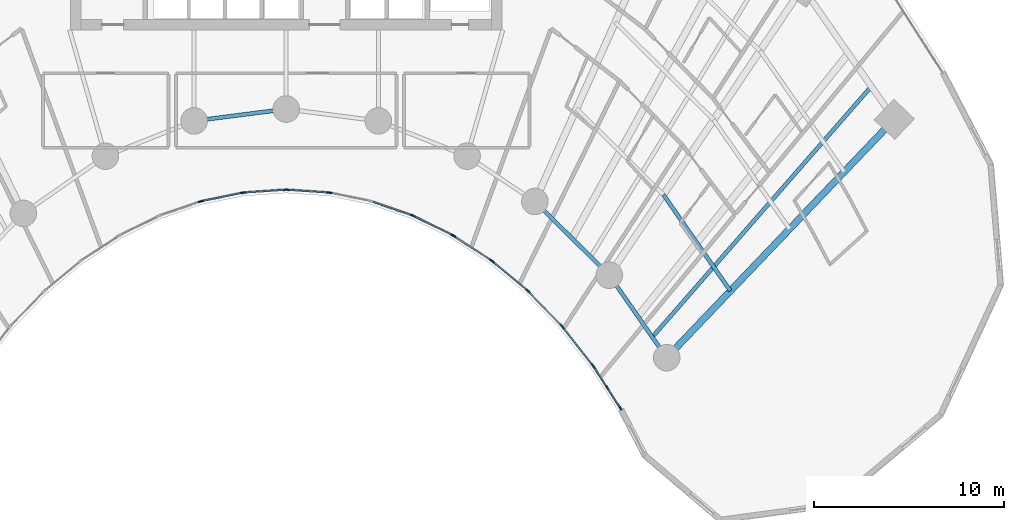
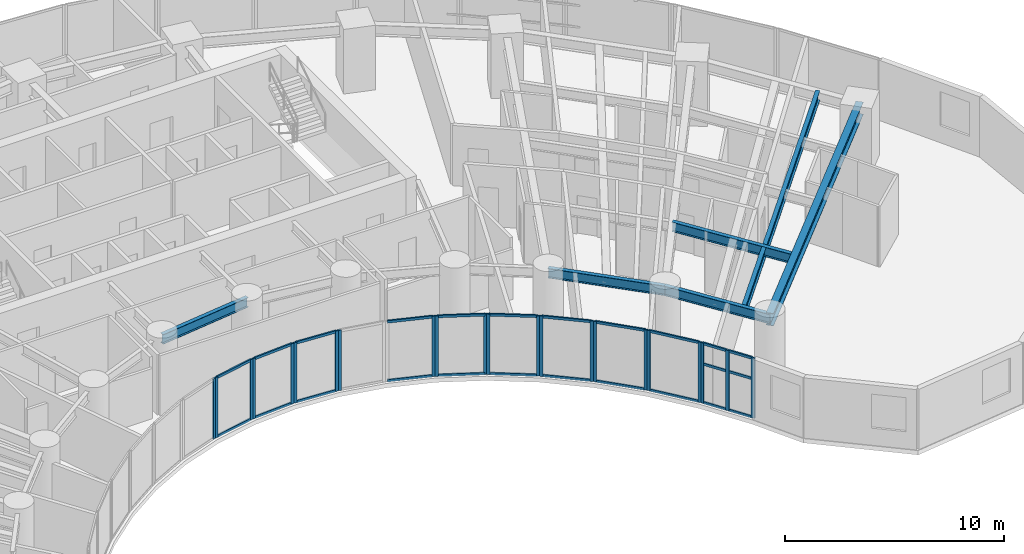
# One storey, part 4 of 18: 46 members, 6 beams, 12 elements without a shape of their own.
"""IFC4 building model written with IfcOpenShell, lengths in metres."""

import ifcopenshell
import ifcopenshell.guid

model = None  # the IFC model being written
_history = None  # IfcOwnerHistory: only IFC2X3 demands one
_inside = {}  # id of a spatial element -> (the spatial element, [elements in it])
_under = {}  # id of a project, library or spatial element -> (it, [spatial elements below it])
_declared = {}  # id of a project -> (the project, [libraries it declares])
_typed = {}  # id of a type object -> (the type object, [elements of that type])
_made_of = {}  # id of a material, layer set ... -> (it, [elements and type objects made of it])


def new_model(schema):
    """Start an empty IFC model of exactly this schema.

    Asked for "IFC4X3", IfcOpenShell would pick the latest addendum, in which some entities
    have other attributes; the version numbers below select the first issue.
    IFC2X3 requires an IfcOwnerHistory on every rooted entity: one is made here for all.
    """
    global model, _history
    if schema == "IFC4X3":
        model = ifcopenshell.file(schema_version=(4, 3, 0, 0))
    else:
        model = ifcopenshell.file(schema=schema)
    _inside.clear()
    _under.clear()
    _declared.clear()
    _typed.clear()
    _made_of.clear()
    _history = None
    if model.schema == "IFC2X3":
        org = make("IfcOrganization", Name="unknown")
        user = make(
            "IfcPersonAndOrganization",
            ThePerson=make("IfcPerson", FamilyName="unknown"),
            TheOrganization=org,
        )
        app = make(
            "IfcApplication",
            ApplicationDeveloper=org,
            Version="unknown",
            ApplicationFullName="unknown",
            ApplicationIdentifier="unknown",
        )
        _history = make(
            "IfcOwnerHistory",
            OwningUser=user,
            OwningApplication=app,
            ChangeAction="ADDED",
            CreationDate=0,
        )
    return model


def make(cls, **values):
    """One entity of the class cls with the attributes given. An attribute that is None is left unset."""
    return model.create_entity(
        cls, **{name: value for name, value in values.items() if value is not None}
    )


def rooted(cls, **values):
    """An entity with a GlobalId (a new one), such as an element, a storey or a relation."""
    return make(cls, GlobalId=ifcopenshell.guid.new(), OwnerHistory=_history, **values)


def si_unit(unit_type, name, prefix=None):
    """IfcSIUnit, for example si_unit("LENGTHUNIT", "METRE", prefix="MILLI")."""
    return make("IfcSIUnit", UnitType=unit_type, Prefix=prefix, Name=name)


def assignment(units):
    """IfcUnitAssignment: the units of a project."""
    return None if units is None else make("IfcUnitAssignment", Units=units)


def point(xyz):
    """IfcCartesianPoint."""
    return None if xyz is None else make("IfcCartesianPoint", Coordinates=xyz)


def direction(xyz):
    """IfcDirection."""
    return None if xyz is None else make("IfcDirection", DirectionRatios=xyz)


def frame(location, z_axis=None, x_axis=None):
    """IfcAxis2Placement3D, a coordinate frame: its origin and axes. An axis left out is left unset."""
    return make(
        "IfcAxis2Placement3D",
        Location=point(location),
        Axis=direction(z_axis),
        RefDirection=direction(x_axis),
    )


def frame_2d(location, x_axis=None):
    """IfcAxis2Placement2D, a coordinate frame in the plane: its origin and x axis."""
    return make(
        "IfcAxis2Placement2D", Location=point(location), RefDirection=direction(x_axis)
    )


def origin():
    """The frame at (0, 0, 0) with its axes left unset."""
    return frame((0.0, 0.0, 0.0))


def origin_2d():
    """The frame at (0, 0) in the plane with its x axis left unset."""
    return frame_2d((0.0, 0.0))


def place(relative_to, where):
    """IfcLocalPlacement: puts the frame where relative to a parent placement (None: the world)."""
    return make(
        "IfcLocalPlacement", PlacementRelTo=relative_to, RelativePlacement=where
    )


def context(
    kind, dimensions, precision=None, world=None, true_north=None, identifier=None
):
    """IfcGeometricRepresentationContext, for example the 3D "Model" context."""
    return make(
        "IfcGeometricRepresentationContext",
        ContextIdentifier=identifier,
        ContextType=kind,
        CoordinateSpaceDimension=dimensions,
        Precision=precision,
        WorldCoordinateSystem=world,
        TrueNorth=true_north,
    )


def subcontext(parent, identifier, kind, view, scale=None):
    """IfcGeometricRepresentationSubContext, for example "Body" below "Model"."""
    return make(
        "IfcGeometricRepresentationSubContext",
        ContextIdentifier=identifier,
        ContextType=kind,
        ParentContext=parent,
        TargetScale=scale,
        TargetView=view,
    )


def project(units=None, contexts=None):
    """IfcProject with its units and contexts."""
    return rooted(
        "IfcProject",
        Name="project",
        RepresentationContexts=contexts,
        UnitsInContext=assignment(units),
    )


def spatial(cls, under=None, at=None, **own):
    """A site, building, storey or space (cls), placed at a placement, below another one or the project."""
    s = rooted(cls, ObjectPlacement=at, **own)
    if under is not None:
        _under.setdefault(under.id(), (under, []))[1].append(s)
    return s


def profile(cls, at=None, kind="AREA", **sizes):
    """A parametric profile (cls). Its sizes go by their IFC names, for example OverallWidth=200.0."""
    return make(cls, ProfileType=kind, Position=at, **sizes)


def rectangle(**sizes):
    """IfcRectangleProfileDef."""
    return profile("IfcRectangleProfileDef", **sizes)


def i_section(**sizes):
    """IfcIShapeProfileDef."""
    return profile("IfcIShapeProfileDef", **sizes)


def extrude(swept, where, along, depth):
    """IfcExtrudedAreaSolid: the profile swept, set in the frame where, extruded along a direction by depth."""
    return make(
        "IfcExtrudedAreaSolid",
        SweptArea=swept,
        Position=where,
        ExtrudedDirection=direction(along),
        Depth=depth,
    )


def shape(context_of_items, identifier, shape_type, items):
    """IfcShapeRepresentation: the items that make up one representation, for example the "Body"."""
    return make(
        "IfcShapeRepresentation",
        ContextOfItems=context_of_items,
        RepresentationIdentifier=identifier,
        RepresentationType=shape_type,
        Items=items,
    )


def source(mapping_origin, context_of_items, identifier, shape_type, items):
    """IfcRepresentationMap: a shape defined once, which mapped items show again and again."""
    return make(
        "IfcRepresentationMap",
        MappingOrigin=mapping_origin,
        MappedRepresentation=shape(context_of_items, identifier, shape_type, items),
    )


def transform(
    local_origin,
    x_axis=None,
    y_axis=None,
    z_axis=None,
    scale=None,
    scale2=None,
    scale3=None,
    uniform=True,
):
    """IfcCartesianTransformationOperator3D, or its non-uniform kind. x_axis, y_axis, z_axis: its Axis1, 2, 3."""
    if uniform:
        return make(
            "IfcCartesianTransformationOperator3D",
            Axis1=direction(x_axis),
            Axis2=direction(y_axis),
            LocalOrigin=point(local_origin),
            Scale=scale,
            Axis3=direction(z_axis),
        )
    return make(
        "IfcCartesianTransformationOperator3DnonUniform",
        Axis1=direction(x_axis),
        Axis2=direction(y_axis),
        LocalOrigin=point(local_origin),
        Scale=scale,
        Axis3=direction(z_axis),
        Scale2=scale2,
        Scale3=scale3,
    )


def mapped(mapping_source, mapping_target):
    """IfcMappedItem: shows the shape of a source again, moved by a transform."""
    return make(
        "IfcMappedItem", MappingSource=mapping_source, MappingTarget=mapping_target
    )


def material(Name=None, Category=None):
    """IfcMaterial."""
    return make("IfcMaterial", Name=Name, Category=Category)


def layer(
    of_material, thickness, ventilated=None, Name=None, Category=None, Priority=None
):
    """IfcMaterialLayer: one layer of a wall or slab, of a material (None: an air gap)."""
    return make(
        "IfcMaterialLayer",
        Material=of_material,
        LayerThickness=thickness,
        IsVentilated=ventilated,
        Name=Name,
        Category=Category,
        Priority=Priority,
    )


def layer_set(layers, Name=None):
    """IfcMaterialLayerSet."""
    return make("IfcMaterialLayerSet", MaterialLayers=layers, LayerSetName=Name)


def material_profile(
    of_material, cross_section, Name=None, Category=None, Priority=None
):
    """IfcMaterialProfile: a cross section and its material."""
    return make(
        "IfcMaterialProfile",
        Name=Name,
        Material=of_material,
        Profile=cross_section,
        Priority=Priority,
        Category=Category,
    )


def profile_set(profiles, Name=None, composite=None):
    """IfcMaterialProfileSet."""
    return make(
        "IfcMaterialProfileSet",
        Name=Name,
        MaterialProfiles=profiles,
        CompositeProfile=composite,
    )


def made_of(thing, what):
    """Note that an element or type object is made of a material, layer set ...; save() writes the relation."""
    if what is not None:
        _made_of.setdefault(what.id(), (what, []))[1].append(thing)
    return thing


def type_object(cls, material=None, **own):
    """A type object (cls), such as IfcWallType, which elements share."""
    return made_of(rooted(cls, **own), material)


def type_shapes(of_type, sources):
    """Give a type object the sources (RepresentationMaps) that its elements show as mapped items."""
    of_type.RepresentationMaps = sources


def element(
    cls,
    number,
    at=None,
    inside=None,
    cuts=None,
    type_object=None,
    material=None,
    context=None,
    identifier="Body",
    shape_type=None,
    held_by="IfcProductDefinitionShape",
    body=None,
    shapes=None,
    **own,
):
    """One element of the class cls, such as IfcWall. Its Tag is "e" and its number.

    at: its placement. inside: the storey or other place that contains it. cuts: it is an
    opening in that element (IfcRelVoidsElement). A single representation is given by context,
    identifier, shape_type and body (its items); several are given by shapes. held_by: the class
    of the entity that holds the representations. save() writes the other relations.
    """
    e = rooted(cls, Tag="e%d" % number, ObjectPlacement=at, **own)
    if body is not None:
        shapes = [shape(context, identifier, shape_type, body)]
    if shapes is not None:
        e.Representation = make(held_by, Representations=shapes)
    if inside is not None:
        _inside.setdefault(inside.id(), (inside, []))[1].append(e)
    if cuts is not None:
        rooted(
            "IfcRelVoidsElement", RelatingBuildingElement=cuts, RelatedOpeningElement=e
        )
    if type_object is not None:
        _typed.setdefault(type_object.id(), (type_object, []))[1].append(e)
    return made_of(e, material)


def aggregate(whole, parts):
    """IfcRelAggregates: a whole, such as a stair, and the parts it consists of."""
    return rooted("IfcRelAggregates", RelatingObject=whole, RelatedObjects=parts)


def save(model, path):
    """Write the relations noted so far, then the file.

    IfcRelAggregates (storeys below a building ...), IfcRelContainedInSpatialStructure (elements
    in a storey), IfcRelDefinesByType, IfcRelAssociatesMaterial and IfcRelDeclares: one each for
    every whole, place, type object, material and project.
    """
    for whole, parts in _under.values():
        aggregate(whole, parts)
    for where, things in _inside.values():
        rooted(
            "IfcRelContainedInSpatialStructure",
            RelatedElements=things,
            RelatingStructure=where,
        )
    for kind, things in _typed.values():
        rooted("IfcRelDefinesByType", RelatedObjects=things, RelatingType=kind)
    for what, things in _made_of.values():
        rooted("IfcRelAssociatesMaterial", RelatedObjects=things, RelatingMaterial=what)
    for by, libraries in _declared.values():
        rooted("IfcRelDeclares", RelatingContext=by, RelatedDefinitions=libraries)
    model.write(path)


model = new_model("IFC4")

# Units and contexts
model_context = context("Model", 3, precision=1e-05, world=origin(), true_north=direction((0.0, 1.0)))
body_context = subcontext(model_context, "Body", "Model", "MODEL_VIEW")
ifc_project = project(units=[si_unit("LENGTHUNIT", "METRE"), si_unit("AREAUNIT", "SQUARE_METRE"), si_unit("VOLUMEUNIT", "CUBIC_METRE"), si_unit("PLANEANGLEUNIT", "RADIAN"), si_unit("MASSUNIT", "GRAM", prefix="KILO")], contexts=[model_context])

# Site, building, storey
site_placement = place(None, origin())
site = spatial("IfcSite", under=ifc_project, at=site_placement, CompositionType="ELEMENT")
building_placement = place(site_placement, origin())
building = spatial("IfcBuilding", under=site, at=building_placement, Name="Breltana Convention Tower", CompositionType="ELEMENT")
storey_placement = place(building_placement, frame((0.0, 0.0, 42.60009765625)))
storey = spatial("IfcBuildingStorey", under=building, at=storey_placement, Name="L08", CompositionType="ELEMENT", Elevation=42.60009765625)

# Beams
ifc_material_1 = material(Name="Steel ASTM A992 Grade 50", Category="steel")
ifc_material_profile_1 = material_profile(ifc_material_1, i_section(OverallWidth=0.35498046875, OverallDepth=0.696044921875, WebThickness=0.015380859375, FlangeThickness=0.02490234375, at=origin_2d()), Name="W27X146")
ifc_profile_set_1 = profile_set([ifc_material_profile_1], Name="Steel ASTM A992 Grade 50")
beam_type_1 = type_object("IfcBeamType", Name="BM-RG-W27X146", PredefinedType="USERDEFINED", material=ifc_profile_set_1)
shared_shape_1 = source(origin(), body_context, "Body", "SweptSolid", [
    extrude(i_section(OverallWidth=0.35498046875, OverallDepth=0.696044921875, WebThickness=0.015380859375, FlangeThickness=0.02490234375, at=origin_2d()), origin(), (0.0, 0.0, 1.0), 17.341064453125),
])
type_shapes(beam_type_1, [shared_shape_1])
beam_1_placement = place(storey_placement, frame((68.015380859375, 42.95458984375, 3.011962890625), z_axis=(0.690716462293, 0.723125693581, 0.0), x_axis=(-0.723125693581, 0.690716462293, 0.0)))
element("IfcBeam", 1, at=beam_1_placement, inside=storey, type_object=beam_type_1, Name="L08 Radial Floor Girder R11", ObjectType="GIRDER", PredefinedType="USERDEFINED", context=body_context, shape_type="MappedRepresentation", body=[
    mapped(shared_shape_1, transform((0.0, 0.0, 0.0), scale=1.0)),
])
ifc_material_profile_2 = material_profile(ifc_material_1, i_section(OverallWidth=0.2099609375, OverallDepth=0.537109375, WebThickness=0.010986328125, FlangeThickness=0.017333984375, at=origin_2d()), Name="W21X68")
ifc_profile_set_2 = profile_set([ifc_material_profile_2], Name="Steel ASTM A992 Grade 50")
beam_type_2 = type_object("IfcBeamType", Name="BM-BM-W21X68", PredefinedType="BEAM", material=ifc_profile_set_2)
shared_shape_2 = source(origin(), body_context, "Body", "SweptSolid", [
    extrude(i_section(OverallWidth=0.2099609375, OverallDepth=0.537109375, WebThickness=0.010986328125, FlangeThickness=0.017333984375, at=origin_2d()), origin(), (0.0, 0.0, 1.0), 4.88671875),
])
beam_2_placement = place(storey_placement, frame((43.153564453125, 55.41064453125, 3.09130859375), z_axis=(0.991780525565, 0.127950729231, 0.0), x_axis=(-0.127950729231, 0.991780525565, 0.0)))
element("IfcBeam", 2, at=beam_2_placement, inside=storey, type_object=beam_type_2, Name="L08 Inner Ring Beam 05", PredefinedType="BEAM", context=body_context, shape_type="MappedRepresentation", body=[
    mapped(shared_shape_2, transform((0.0, 0.0, 0.0), scale=1.0)),
])
shared_shape_3 = source(origin(), body_context, "Body", "SweptSolid", [
    extrude(i_section(OverallWidth=0.2099609375, OverallDepth=0.537109375, WebThickness=0.010986328125, FlangeThickness=0.017333984375, at=origin_2d()), origin(), (0.0, 0.0, 1.0), 5.51171875),
])
beam_3_placement = place(storey_placement, frame((61.08203125, 51.174560546875, 3.09130859375), z_axis=(0.710090360749, -0.704110559196, 0.0), x_axis=(0.704110559196, 0.710090360749, 0.0)))
element("IfcBeam", 3, at=beam_3_placement, inside=storey, type_object=beam_type_2, Name="L08 Inner Ring Beam 09", PredefinedType="BEAM", context=body_context, shape_type="MappedRepresentation", body=[
    mapped(shared_shape_3, transform((0.0, 0.0, 0.0), scale=1.0)),
])
shared_shape_4 = source(origin(), body_context, "Body", "SweptSolid", [
    extrude(i_section(OverallWidth=0.2099609375, OverallDepth=0.537109375, WebThickness=0.010986328125, FlangeThickness=0.017333984375, at=origin_2d()), origin(), (0.0, 0.0, 1.0), 5.286376953125),
])
beam_4_placement = place(storey_placement, frame((64.995849609375, 47.293701171875, 3.09130859375), z_axis=(0.571194382458, -0.82081482531, 0.0), x_axis=(0.82081482531, 0.571194382458, 0.0)))
element("IfcBeam", 4, at=beam_4_placement, inside=storey, type_object=beam_type_2, Name="L08 Inner Ring Beam 10", PredefinedType="BEAM", context=body_context, shape_type="MappedRepresentation", body=[
    mapped(shared_shape_4, transform((0.0, 0.0, 0.0), scale=1.0)),
])
ifc_material_profile_3 = material_profile(ifc_material_1, i_section(OverallWidth=0.2099609375, OverallDepth=0.537109375, WebThickness=0.010986328125, FlangeThickness=0.017333984375, at=origin_2d()), Name="W21X68")
ifc_profile_set_3 = profile_set([ifc_material_profile_3], Name="Steel ASTM A992 Grade 50")
beam_type_3 = type_object("IfcBeamType", Name="BM-JSG-04", PredefinedType="JOIST", material=ifc_profile_set_3)
shared_shape_5 = source(origin(), body_context, "Body", "SweptSolid", [
    extrude(i_section(OverallWidth=0.2099609375, OverallDepth=0.537109375, WebThickness=0.010986328125, FlangeThickness=0.017333984375, at=origin_2d()), origin(), (0.0, 0.0, 1.0), 6.172119140625),
])
beam_5_placement = place(storey_placement, frame((67.84375, 51.531982421875, 3.09130859375), z_axis=(0.571211663392, -0.820802799462, 0.0), x_axis=(0.820802799462, 0.571211663392, 0.0)))
element("IfcBeam", 5, at=beam_5_placement, inside=storey, type_object=beam_type_3, Name="L08 Composite Floor Joist 10.1", PredefinedType="JOIST", context=body_context, shape_type="MappedRepresentation", body=[
    mapped(shared_shape_5, transform((0.0, 0.0, 0.0), scale=1.0)),
])
shared_shape_6 = source(origin(), body_context, "Body", "SweptSolid", [
    extrude(i_section(OverallWidth=0.2099609375, OverallDepth=0.537109375, WebThickness=0.010986328125, FlangeThickness=0.017333984375, at=origin_2d()), origin(), (0.0, 0.0, 1.0), 17.515625),
])
beam_6_placement = place(storey_placement, frame((67.260498046875, 44.03955078125, 3.09130859375), z_axis=(0.658051548324, 0.752972881151, 0.0), x_axis=(-0.752972881151, 0.658051548324, 0.0)))
element("IfcBeam", 6, at=beam_6_placement, inside=storey, type_object=beam_type_3, Name="L08 Quarter-Bay Radial Trimmer 10", PredefinedType="JOIST", context=body_context, shape_type="MappedRepresentation", body=[
    mapped(shared_shape_6, transform((0.0, 0.0, 0.0), scale=1.0)),
])

# Curtain wall, members
ifc_material_2 = material(Name="Aluminium Anodised Bronze Frame", Category="aluminium")
ifc_layer = layer(ifc_material_2, 0.18994140625, Name="Aluminium Anodised Bronze Frame")
ifc_layer_set = layer_set([ifc_layer], Name="Aluminium Anodised Bronze Frame")
curtain_wall_type = type_object("IfcCurtainWallType", Name="CW-SYS-1", PredefinedType="NOTDEFINED", material=ifc_layer_set)
curtain_wall_1_placement = place(storey_placement, origin())
curtain_wall_1 = element("IfcCurtainWall", 7, at=curtain_wall_1_placement, inside=storey, type_object=curtain_wall_type, Name="L08 inner south-court glazing 3", PredefinedType="NOTDEFINED")
ifc_material_3 = material(Name="Aluminium Anodised Bronze", Category="aluminium")
ifc_material_profile_4 = material_profile(ifc_material_3, rectangle(XDim=0.080078125, YDim=0.139892578125, at=origin_2d()), Name="CWT-80X140")
ifc_profile_set_4 = profile_set([ifc_material_profile_4], Name="Aluminium Anodised Bronze")
member_type_1 = type_object("IfcMemberType", Name="CWT-140", PredefinedType="USERDEFINED", material=ifc_profile_set_4)
shared_shape_7 = source(origin(), body_context, "Body", "SweptSolid", [
    extrude(rectangle(XDim=0.080078125, YDim=0.139892578125, at=origin_2d()), origin(), (0.0, 0.0, 1.0), 2.38720703125),
])
type_shapes(member_type_1, [shared_shape_7])
member_1_placement = place(storey_placement, frame((62.4560546875, 44.667724609375, 0.039794921875), z_axis=(-0.694623715393, 0.719373264734, 0.0), x_axis=(-0.719373264734, -0.694623715393, 0.0)))
member_1 = element("IfcMember", 8, at=member_1_placement, type_object=member_type_1, Name="CW-01 transom 1.1", ObjectType="TRANSOM", PredefinedType="USERDEFINED", context=body_context, shape_type="MappedRepresentation", body=[
    mapped(shared_shape_7, transform((0.0, 0.0, 0.0), scale=1.0)),
])
member_2_placement = place(storey_placement, frame((62.4560546875, 44.667724609375, 3.31982421875), z_axis=(-0.694623715393, 0.719373264734, 0.0), x_axis=(-0.719373264734, -0.694623715393, 0.0)))
member_2 = element("IfcMember", 9, at=member_2_placement, type_object=member_type_1, Name="CW-01 transom 1.2", ObjectType="TRANSOM", PredefinedType="USERDEFINED", context=body_context, shape_type="MappedRepresentation", body=[
    mapped(shared_shape_7, transform((0.0, 0.0, 0.0), scale=1.0)),
])

curtain_wall_2_placement = place(storey_placement, origin())
curtain_wall_2 = element("IfcCurtainWall", 10, at=curtain_wall_2_placement, inside=storey, type_object=curtain_wall_type, Name="L08 inner south-court glazing 4", PredefinedType="NOTDEFINED")
shared_shape_8 = source(origin(), body_context, "Body", "SweptSolid", [
    extrude(rectangle(XDim=0.080078125, YDim=0.139892578125, at=origin_2d()), origin(), (0.0, 0.0, 1.0), 2.312255859375),
])
member_3_placement = place(storey_placement, frame((60.666748046875, 46.5068359375, 0.039794921875), z_axis=(-0.767900974507, 0.640568570374, 0.0), x_axis=(-0.640568570374, -0.767900974507, 0.0)))
member_3 = element("IfcMember", 11, at=member_3_placement, type_object=member_type_1, Name="CW-01 transom 1.1", ObjectType="TRANSOM", PredefinedType="USERDEFINED", context=body_context, shape_type="MappedRepresentation", body=[
    mapped(shared_shape_8, transform((0.0, 0.0, 0.0), scale=1.0)),
])
member_4_placement = place(storey_placement, frame((60.666748046875, 46.5068359375, 3.31982421875), z_axis=(-0.767900974507, 0.640568570374, 0.0), x_axis=(-0.640568570374, -0.767900974507, 0.0)))
member_4 = element("IfcMember", 12, at=member_4_placement, type_object=member_type_1, Name="CW-01 transom 1.2", ObjectType="TRANSOM", PredefinedType="USERDEFINED", context=body_context, shape_type="MappedRepresentation", body=[
    mapped(shared_shape_8, transform((0.0, 0.0, 0.0), scale=1.0)),
])

curtain_wall_3_placement = place(storey_placement, origin())
curtain_wall_3 = element("IfcCurtainWall", 13, at=curtain_wall_3_placement, inside=storey, type_object=curtain_wall_type, Name="L08 inner south-court glazing 5", PredefinedType="NOTDEFINED")
shared_shape_9 = source(origin(), body_context, "Body", "SweptSolid", [
    extrude(rectangle(XDim=0.080078125, YDim=0.139892578125, at=origin_2d()), origin(), (0.0, 0.0, 1.0), 2.2421875),
])
member_5_placement = place(storey_placement, frame((58.746337890625, 48.095458984375, 0.039794921875), z_axis=(-0.835982353773, 0.548756324957, 0.0), x_axis=(-0.548756324957, -0.835982353773, 0.0)))
member_5 = element("IfcMember", 14, at=member_5_placement, type_object=member_type_1, Name="CW-01 transom 1.1", ObjectType="TRANSOM", PredefinedType="USERDEFINED", context=body_context, shape_type="MappedRepresentation", body=[
    mapped(shared_shape_9, transform((0.0, 0.0, 0.0), scale=1.0)),
])
member_6_placement = place(storey_placement, frame((58.746337890625, 48.095458984375, 3.31982421875), z_axis=(-0.835982353773, 0.548756324957, 0.0), x_axis=(-0.548756324957, -0.835982353773, 0.0)))
member_6 = element("IfcMember", 15, at=member_6_placement, type_object=member_type_1, Name="CW-01 transom 1.2", ObjectType="TRANSOM", PredefinedType="USERDEFINED", context=body_context, shape_type="MappedRepresentation", body=[
    mapped(shared_shape_9, transform((0.0, 0.0, 0.0), scale=1.0)),
])

curtain_wall_4_placement = place(storey_placement, origin())
curtain_wall_4 = element("IfcCurtainWall", 16, at=curtain_wall_4_placement, inside=storey, type_object=curtain_wall_type, Name="L08 inner south-court glazing 6", PredefinedType="NOTDEFINED")
shared_shape_10 = source(origin(), body_context, "Body", "SweptSolid", [
    extrude(rectangle(XDim=0.080078125, YDim=0.139892578125, at=origin_2d()), origin(), (0.0, 0.0, 1.0), 2.180908203125),
])
member_7_placement = place(storey_placement, frame((56.71435546875, 49.416015625, 0.039794921875), z_axis=(-0.895922266369, 0.444210865045, 0.0), x_axis=(-0.444210865045, -0.895922266369, 0.0)))
member_7 = element("IfcMember", 17, at=member_7_placement, type_object=member_type_1, Name="CW-01 transom 1.1", ObjectType="TRANSOM", PredefinedType="USERDEFINED", context=body_context, shape_type="MappedRepresentation", body=[
    mapped(shared_shape_10, transform((0.0, 0.0, 0.0), scale=1.0)),
])
member_8_placement = place(storey_placement, frame((56.71435546875, 49.416015625, 3.31982421875), z_axis=(-0.895922266369, 0.444210865045, 0.0), x_axis=(-0.444210865045, -0.895922266369, 0.0)))
member_8 = element("IfcMember", 18, at=member_8_placement, type_object=member_type_1, Name="CW-01 transom 1.2", ObjectType="TRANSOM", PredefinedType="USERDEFINED", context=body_context, shape_type="MappedRepresentation", body=[
    mapped(shared_shape_10, transform((0.0, 0.0, 0.0), scale=1.0)),
])

curtain_wall_5_placement = place(storey_placement, origin())
curtain_wall_5 = element("IfcCurtainWall", 19, at=curtain_wall_5_placement, inside=storey, type_object=curtain_wall_type, Name="L08 inner south-court glazing 9", PredefinedType="NOTDEFINED")
shared_shape_11 = source(origin(), body_context, "Body", "SweptSolid", [
    extrude(rectangle(XDim=0.080078125, YDim=0.139892578125, at=origin_2d()), origin(), (0.0, 0.0, 1.0), 2.07861328125),
])
member_9_placement = place(storey_placement, frame((50.165771484375, 51.6474609375, 0.039794921875), z_axis=(-0.997708627147, 0.067657189691, 0.0), x_axis=(-0.067657189691, -0.997708627147, 0.0)))
member_9 = element("IfcMember", 20, at=member_9_placement, type_object=member_type_1, Name="CW-01 transom 1.1", ObjectType="TRANSOM", PredefinedType="USERDEFINED", context=body_context, shape_type="MappedRepresentation", body=[
    mapped(shared_shape_11, transform((0.0, 0.0, 0.0), scale=1.0)),
])
member_10_placement = place(storey_placement, frame((50.165771484375, 51.6474609375, 3.31982421875), z_axis=(-0.997708627147, 0.067657189691, 0.0), x_axis=(-0.067657189691, -0.997708627147, 0.0)))
member_10 = element("IfcMember", 21, at=member_10_placement, type_object=member_type_1, Name="CW-01 transom 1.2", ObjectType="TRANSOM", PredefinedType="USERDEFINED", context=body_context, shape_type="MappedRepresentation", body=[
    mapped(shared_shape_11, transform((0.0, 0.0, 0.0), scale=1.0)),
])

curtain_wall_6_placement = place(storey_placement, origin())
curtain_wall_6 = element("IfcCurtainWall", 22, at=curtain_wall_6_placement, inside=storey, type_object=curtain_wall_type, Name="L08 inner south-court glazing 10", PredefinedType="NOTDEFINED")
member_11_placement = place(storey_placement, frame((47.907958984375, 51.7880859375, 0.039794921875), z_axis=(-0.997708627147, -0.067657189691, 0.0), x_axis=(0.067657189691, -0.997708627147, 0.0)))
member_11 = element("IfcMember", 23, at=member_11_placement, type_object=member_type_1, Name="CW-01 transom 1.1", ObjectType="TRANSOM", PredefinedType="USERDEFINED", context=body_context, shape_type="MappedRepresentation", body=[
    mapped(shared_shape_11, transform((0.0, 0.0, 0.0), scale=1.0)),
])
member_12_placement = place(storey_placement, frame((47.907958984375, 51.7880859375, 3.31982421875), z_axis=(-0.997708627147, -0.067657189691, 0.0), x_axis=(0.067657189691, -0.997708627147, 0.0)))
member_12 = element("IfcMember", 24, at=member_12_placement, type_object=member_type_1, Name="CW-01 transom 1.2", ObjectType="TRANSOM", PredefinedType="USERDEFINED", context=body_context, shape_type="MappedRepresentation", body=[
    mapped(shared_shape_11, transform((0.0, 0.0, 0.0), scale=1.0)),
])

curtain_wall_7_placement = place(storey_placement, origin())
curtain_wall_7 = element("IfcCurtainWall", 25, at=curtain_wall_7_placement, inside=storey, type_object=curtain_wall_type, Name="L08 inner south-court glazing 2", PredefinedType="NOTDEFINED")
shared_shape_12 = source(origin(), body_context, "Body", "SweptSolid", [
    extrude(rectangle(XDim=0.080078125, YDim=0.139892578125, at=origin_2d()), origin(), (0.0, 0.0, 1.0), 2.4638671875),
])
member_13_placement = place(storey_placement, frame((64.09619140625, 42.5966796875, 0.039794921875), z_axis=(-0.618184689608, 0.786032880695, 0.0), x_axis=(-0.786032880695, -0.618184689608, 0.0)))
member_13 = element("IfcMember", 26, at=member_13_placement, type_object=member_type_1, Name="CW-01 transom 1.1", ObjectType="TRANSOM", PredefinedType="USERDEFINED", context=body_context, shape_type="MappedRepresentation", body=[
    mapped(shared_shape_12, transform((0.0, 0.0, 0.0), scale=1.0)),
])
member_14_placement = place(storey_placement, frame((64.09619140625, 42.5966796875, 3.31982421875), z_axis=(-0.618184689608, 0.786032880695, 0.0), x_axis=(-0.786032880695, -0.618184689608, 0.0)))
member_14 = element("IfcMember", 27, at=member_14_placement, type_object=member_type_1, Name="CW-01 transom 1.2", ObjectType="TRANSOM", PredefinedType="USERDEFINED", context=body_context, shape_type="MappedRepresentation", body=[
    mapped(shared_shape_12, transform((0.0, 0.0, 0.0), scale=1.0)),
])

curtain_wall_8_placement = place(storey_placement, origin())
curtain_wall_8 = element("IfcCurtainWall", 28, at=curtain_wall_8_placement, inside=storey, type_object=curtain_wall_type, Name="L08 inner south-court glazing 1", PredefinedType="NOTDEFINED")
shared_shape_13 = source(origin(), body_context, "Body", "SweptSolid", [
    extrude(rectangle(XDim=0.080078125, YDim=0.139892578125, at=origin_2d()), origin(), (0.0, 0.0, 1.0), 1.229736328125),
])
member_15_placement = place(storey_placement, frame((65.57080078125, 40.315185546875, 0.039794921875), z_axis=(-0.540185543357, 0.841545945714, 0.0), x_axis=(-0.841545945714, -0.540185543357, 0.0)))
member_15 = element("IfcMember", 29, at=member_15_placement, type_object=member_type_1, Name="CW-01 transom 1.1", ObjectType="TRANSOM", PredefinedType="USERDEFINED", context=body_context, shape_type="MappedRepresentation", body=[
    mapped(shared_shape_13, transform((0.0, 0.0, 0.0), scale=1.0)),
])
member_16_placement = place(storey_placement, frame((65.57080078125, 40.315185546875, 2.183837890625), z_axis=(-0.540185543357, 0.841545945714, 0.0), x_axis=(-0.841545945714, -0.540185543357, 0.0)))
member_16 = element("IfcMember", 30, at=member_16_placement, type_object=member_type_1, Name="CW-01 transom 1.2", ObjectType="TRANSOM", PredefinedType="USERDEFINED", context=body_context, shape_type="MappedRepresentation", body=[
    mapped(shared_shape_13, transform((0.0, 0.0, 0.0), scale=1.0)),
])
member_17_placement = place(storey_placement, frame((65.57080078125, 40.315185546875, 3.31982421875), z_axis=(-0.540185543357, 0.841545945714, 0.0), x_axis=(-0.841545945714, -0.540185543357, 0.0)))
member_17 = element("IfcMember", 31, at=member_17_placement, type_object=member_type_1, Name="CW-01 transom 1.3", ObjectType="TRANSOM", PredefinedType="USERDEFINED", context=body_context, shape_type="MappedRepresentation", body=[
    mapped(shared_shape_13, transform((0.0, 0.0, 0.0), scale=1.0)),
])
member_18_placement = place(storey_placement, frame((64.86328125, 41.41748046875, 0.039794921875), z_axis=(-0.540185543357, 0.841545945714, 0.0), x_axis=(-0.841545945714, -0.540185543357, 0.0)))
member_18 = element("IfcMember", 32, at=member_18_placement, type_object=member_type_1, Name="CW-01 transom 2.1", ObjectType="TRANSOM", PredefinedType="USERDEFINED", context=body_context, shape_type="MappedRepresentation", body=[
    mapped(shared_shape_13, transform((0.0, 0.0, 0.0), scale=1.0)),
])
member_19_placement = place(storey_placement, frame((64.86328125, 41.41748046875, 2.183837890625), z_axis=(-0.540185543357, 0.841545945714, 0.0), x_axis=(-0.841545945714, -0.540185543357, 0.0)))
member_19 = element("IfcMember", 33, at=member_19_placement, type_object=member_type_1, Name="CW-01 transom 2.2", ObjectType="TRANSOM", PredefinedType="USERDEFINED", context=body_context, shape_type="MappedRepresentation", body=[
    mapped(shared_shape_13, transform((0.0, 0.0, 0.0), scale=1.0)),
])
member_20_placement = place(storey_placement, frame((64.86328125, 41.41748046875, 3.31982421875), z_axis=(-0.540185543357, 0.841545945714, 0.0), x_axis=(-0.841545945714, -0.540185543357, 0.0)))
member_20 = element("IfcMember", 34, at=member_20_placement, type_object=member_type_1, Name="CW-01 transom 2.3", ObjectType="TRANSOM", PredefinedType="USERDEFINED", context=body_context, shape_type="MappedRepresentation", body=[
    mapped(shared_shape_13, transform((0.0, 0.0, 0.0), scale=1.0)),
])

curtain_wall_9_placement = place(storey_placement, origin())
curtain_wall_9 = element("IfcCurtainWall", 35, at=curtain_wall_9_placement, inside=storey, type_object=curtain_wall_type, Name="L08 inner south-court glazing 7", PredefinedType="NOTDEFINED")
shared_shape_14 = source(origin(), body_context, "Body", "SweptSolid", [
    extrude(rectangle(XDim=0.080078125, YDim=0.139892578125, at=origin_2d()), origin(), (0.0, 0.0, 1.0), 2.131103515625),
])
member_21_placement = place(storey_placement, frame((54.592041015625, 50.455078125, 0.039794921875), z_axis=(-0.944847069856, 0.327511854112, 0.0), x_axis=(-0.327511854112, -0.944847069856, 0.0)))
member_21 = element("IfcMember", 36, at=member_21_placement, type_object=member_type_1, Name="CW-01 transom 1.1", ObjectType="TRANSOM", PredefinedType="USERDEFINED", context=body_context, shape_type="MappedRepresentation", body=[
    mapped(shared_shape_14, transform((0.0, 0.0, 0.0), scale=1.0)),
])
member_22_placement = place(storey_placement, frame((54.592041015625, 50.455078125, 3.31982421875), z_axis=(-0.944847069856, 0.327511854112, 0.0), x_axis=(-0.327511854112, -0.944847069856, 0.0)))
member_22 = element("IfcMember", 37, at=member_22_placement, type_object=member_type_1, Name="CW-01 transom 1.2", ObjectType="TRANSOM", PredefinedType="USERDEFINED", context=body_context, shape_type="MappedRepresentation", body=[
    mapped(shared_shape_14, transform((0.0, 0.0, 0.0), scale=1.0)),
])

curtain_wall_10_placement = place(storey_placement, origin())
curtain_wall_10 = element("IfcCurtainWall", 38, at=curtain_wall_10_placement, inside=storey, type_object=curtain_wall_type, Name="L08 inner south-court glazing 11", PredefinedType="NOTDEFINED")
shared_shape_15 = source(origin(), body_context, "Body", "SweptSolid", [
    extrude(rectangle(XDim=0.080078125, YDim=0.139892578125, at=origin_2d()), origin(), (0.0, 0.0, 1.0), 2.096435546875),
])
member_23_placement = place(storey_placement, frame((45.652099609375, 51.62255859375, 0.039794921875), z_axis=(-0.979615042233, -0.200883969074, 0.0), x_axis=(0.200883969074, -0.979615042233, 0.0)))
member_23 = element("IfcMember", 39, at=member_23_placement, type_object=member_type_1, Name="CW-01 transom 1.1", ObjectType="TRANSOM", PredefinedType="USERDEFINED", context=body_context, shape_type="MappedRepresentation", body=[
    mapped(shared_shape_15, transform((0.0, 0.0, 0.0), scale=1.0)),
])
member_24_placement = place(storey_placement, frame((45.652099609375, 51.62255859375, 3.31982421875), z_axis=(-0.979615042233, -0.200883969074, 0.0), x_axis=(0.200883969074, -0.979615042233, 0.0)))
member_24 = element("IfcMember", 40, at=member_24_placement, type_object=member_type_1, Name="CW-01 transom 1.2", ObjectType="TRANSOM", PredefinedType="USERDEFINED", context=body_context, shape_type="MappedRepresentation", body=[
    mapped(shared_shape_15, transform((0.0, 0.0, 0.0), scale=1.0)),
])

# Member
ifc_material_profile_5 = material_profile(ifc_material_3, rectangle(XDim=0.080078125, YDim=0.199951171875, at=origin_2d()), Name="CWM-80X200")
ifc_profile_set_5 = profile_set([ifc_material_profile_5], Name="Aluminium Anodised Bronze")
member_type_2 = type_object("IfcMemberType", Name="CWM-200", PredefinedType="MULLION", material=ifc_profile_set_5)
shared_shape_16 = source(origin(), body_context, "Body", "SweptSolid", [
    extrude(rectangle(XDim=0.080078125, YDim=0.199951171875, at=origin_2d()), origin(), (0.0, 0.0, 1.0), 3.35986328125),
])
member_25_placement = place(storey_placement, frame((65.59228515625, 40.281494140625, 0.0), z_axis=(0.0, 0.0, 1.0), x_axis=(-0.841556194767, -0.540169576197, 0.0)))
member_25 = element("IfcMember", 41, at=member_25_placement, type_object=member_type_2, Name="CW-01 mullion 1", PredefinedType="MULLION", context=body_context, shape_type="MappedRepresentation", body=[
    mapped(shared_shape_16, transform((0.0, 0.0, 0.0), scale=1.0)),
])

member_26_placement = place(storey_placement, frame((64.884765625, 41.3837890625, 0.0), z_axis=(0.0, 0.0, 1.0), x_axis=(-0.841556194767, -0.540169576197, 0.0)))
member_26 = element("IfcMember", 42, at=member_26_placement, type_object=member_type_2, Name="CW-01 mullion 2", PredefinedType="MULLION", context=body_context, shape_type="MappedRepresentation", body=[
    mapped(shared_shape_16, transform((0.0, 0.0, 0.0), scale=1.0)),
])

member_27_placement = place(storey_placement, frame((64.17724609375, 42.48583984375, 0.0), z_axis=(0.0, 0.0, 1.0), x_axis=(-0.841556194767, -0.540169576197, 0.0)))
member_27 = element("IfcMember", 43, at=member_27_placement, type_object=member_type_2, Name="CW-01 mullion 3", PredefinedType="MULLION", context=body_context, shape_type="MappedRepresentation", body=[
    mapped(shared_shape_16, transform((0.0, 0.0, 0.0), scale=1.0)),
])

aggregate(curtain_wall_8, [member_25, member_26, member_27, member_15, member_16, member_17, member_18, member_19, member_20])

member_28_placement = place(storey_placement, frame((64.12109375, 42.565185546875, 0.0), z_axis=(0.0, 0.0, 1.0), x_axis=(-0.786057762734, -0.61815305034, 0.0)))
member_28 = element("IfcMember", 44, at=member_28_placement, type_object=member_type_2, Name="CW-01 mullion 1", PredefinedType="MULLION", context=body_context, shape_type="MappedRepresentation", body=[
    mapped(shared_shape_16, transform((0.0, 0.0, 0.0), scale=1.0)),
])

member_29_placement = place(storey_placement, frame((62.54833984375, 44.56494140625, 0.0), z_axis=(0.0, 0.0, 1.0), x_axis=(-0.786057762734, -0.61815305034, 0.0)))
member_29 = element("IfcMember", 45, at=member_29_placement, type_object=member_type_2, Name="CW-01 mullion 2", PredefinedType="MULLION", context=body_context, shape_type="MappedRepresentation", body=[
    mapped(shared_shape_16, transform((0.0, 0.0, 0.0), scale=1.0)),
])

aggregate(curtain_wall_7, [member_28, member_29, member_13, member_14])

member_30_placement = place(storey_placement, frame((62.48388671875, 44.638916015625, 0.0), z_axis=(0.0, 0.0, 1.0), x_axis=(-0.719384548773, -0.694612029111, 0.0)))
member_30 = element("IfcMember", 46, at=member_30_placement, type_object=member_type_2, Name="CW-01 mullion 1", PredefinedType="MULLION", context=body_context, shape_type="MappedRepresentation", body=[
    mapped(shared_shape_16, transform((0.0, 0.0, 0.0), scale=1.0)),
])

member_31_placement = place(storey_placement, frame((60.77001953125, 46.413818359375, 0.0), z_axis=(0.0, 0.0, 1.0), x_axis=(-0.719384548773, -0.694612029111, 0.0)))
member_31 = element("IfcMember", 47, at=member_31_placement, type_object=member_type_2, Name="CW-01 mullion 2", PredefinedType="MULLION", context=body_context, shape_type="MappedRepresentation", body=[
    mapped(shared_shape_16, transform((0.0, 0.0, 0.0), scale=1.0)),
])

aggregate(curtain_wall_1, [member_30, member_31, member_1, member_2])

member_32_placement = place(storey_placement, frame((60.697265625, 46.481201171875, 0.0), z_axis=(0.0, 0.0, 1.0), x_axis=(-0.640522524458, -0.767939382804, 0.0)))
member_32 = element("IfcMember", 48, at=member_32_placement, type_object=member_type_2, Name="CW-01 mullion 1", PredefinedType="MULLION", context=body_context, shape_type="MappedRepresentation", body=[
    mapped(shared_shape_16, transform((0.0, 0.0, 0.0), scale=1.0)),
])

member_33_placement = place(storey_placement, frame((58.8603515625, 48.013671875, 0.0), z_axis=(0.0, 0.0, 1.0), x_axis=(-0.640522524458, -0.767939382804, 0.0)))
member_33 = element("IfcMember", 49, at=member_33_placement, type_object=member_type_2, Name="CW-01 mullion 2", PredefinedType="MULLION", context=body_context, shape_type="MappedRepresentation", body=[
    mapped(shared_shape_16, transform((0.0, 0.0, 0.0), scale=1.0)),
])

aggregate(curtain_wall_2, [member_32, member_33, member_3, member_4])

member_34_placement = place(storey_placement, frame((58.779541015625, 48.073486328125, 0.0), z_axis=(0.0, 0.0, 1.0), x_axis=(-0.548778278441, -0.835967942634, 0.0)))
member_34 = element("IfcMember", 50, at=member_34_placement, type_object=member_type_2, Name="CW-01 mullion 1", PredefinedType="MULLION", context=body_context, shape_type="MappedRepresentation", body=[
    mapped(shared_shape_16, transform((0.0, 0.0, 0.0), scale=1.0)),
])

member_35_placement = place(storey_placement, frame((56.83837890625, 49.347900390625, 0.0), z_axis=(0.0, 0.0, 1.0), x_axis=(-0.548778278441, -0.835967942634, 0.0)))
member_35 = element("IfcMember", 51, at=member_35_placement, type_object=member_type_2, Name="CW-01 mullion 2", PredefinedType="MULLION", context=body_context, shape_type="MappedRepresentation", body=[
    mapped(shared_shape_16, transform((0.0, 0.0, 0.0), scale=1.0)),
])

aggregate(curtain_wall_3, [member_34, member_35, member_5, member_6])

member_36_placement = place(storey_placement, frame((56.750244140625, 49.3984375, 0.0), z_axis=(0.0, 0.0, 1.0), x_axis=(-0.444117987602, -0.895968310315, 0.0)))
member_36 = element("IfcMember", 52, at=member_36_placement, type_object=member_type_2, Name="CW-01 mullion 1", PredefinedType="MULLION", context=body_context, shape_type="MappedRepresentation", body=[
    mapped(shared_shape_16, transform((0.0, 0.0, 0.0), scale=1.0)),
])

member_37_placement = place(storey_placement, frame((54.724609375, 50.40234375, 0.0), z_axis=(0.0, 0.0, 1.0), x_axis=(-0.444117987602, -0.895968310315, 0.0)))
member_37 = element("IfcMember", 53, at=member_37_placement, type_object=member_type_2, Name="CW-01 mullion 2", PredefinedType="MULLION", context=body_context, shape_type="MappedRepresentation", body=[
    mapped(shared_shape_16, transform((0.0, 0.0, 0.0), scale=1.0)),
])

aggregate(curtain_wall_4, [member_36, member_37, member_7, member_8])

member_38_placement = place(storey_placement, frame((54.6298828125, 50.442138671875, 0.0), z_axis=(0.0, 0.0, 1.0), x_axis=(-0.327413341714, -0.944881211406, 0.0)))
member_38 = element("IfcMember", 54, at=member_38_placement, type_object=member_type_2, Name="CW-01 mullion 1", PredefinedType="MULLION", context=body_context, shape_type="MappedRepresentation", body=[
    mapped(shared_shape_16, transform((0.0, 0.0, 0.0), scale=1.0)),
])

aggregate(curtain_wall_9, [member_38, member_21, member_22])

# Curtain wall, member
curtain_wall_11_placement = place(storey_placement, origin())
curtain_wall_11 = element("IfcCurtainWall", 55, at=curtain_wall_11_placement, inside=storey, type_object=curtain_wall_type, Name="L08 inner south-court glazing 8", PredefinedType="NOTDEFINED")
member_39_placement = place(storey_placement, frame((50.30859375, 51.630615234375, 0.0), z_axis=(0.0, 0.0, 1.0), x_axis=(-0.200886350278, -0.97961455393, 0.0)))
member_39 = element("IfcMember", 56, at=member_39_placement, type_object=member_type_2, Name="CW-01 mullion 2", PredefinedType="MULLION", context=body_context, shape_type="MappedRepresentation", body=[
    mapped(shared_shape_16, transform((0.0, 0.0, 0.0), scale=1.0)),
])
aggregate(curtain_wall_11, [member_39])

# Member
member_40_placement = place(storey_placement, frame((50.20556640625, 51.644775390625, 0.0), z_axis=(0.0, 0.0, 1.0), x_axis=(-0.067725752326, -0.997703975371, 0.0)))
member_40 = element("IfcMember", 57, at=member_40_placement, type_object=member_type_2, Name="CW-01 mullion 1", PredefinedType="MULLION", context=body_context, shape_type="MappedRepresentation", body=[
    mapped(shared_shape_16, transform((0.0, 0.0, 0.0), scale=1.0)),
])

member_41_placement = place(storey_placement, frame((48.052001953125, 51.790771484375, 0.0), z_axis=(0.0, 0.0, 1.0), x_axis=(-0.067725752326, -0.997703975371, 0.0)))
member_41 = element("IfcMember", 58, at=member_41_placement, type_object=member_type_2, Name="CW-01 mullion 2", PredefinedType="MULLION", context=body_context, shape_type="MappedRepresentation", body=[
    mapped(shared_shape_16, transform((0.0, 0.0, 0.0), scale=1.0)),
])

aggregate(curtain_wall_5, [member_40, member_41, member_9, member_10])

member_42_placement = place(storey_placement, frame((47.947998046875, 51.790771484375, 0.0), z_axis=(0.0, 0.0, 1.0), x_axis=(0.067725752326, -0.997703975371, 0.0)))
member_42 = element("IfcMember", 59, at=member_42_placement, type_object=member_type_2, Name="CW-01 mullion 1", PredefinedType="MULLION", context=body_context, shape_type="MappedRepresentation", body=[
    mapped(shared_shape_16, transform((0.0, 0.0, 0.0), scale=1.0)),
])

member_43_placement = place(storey_placement, frame((45.79443359375, 51.644775390625, 0.0), z_axis=(0.0, 0.0, 1.0), x_axis=(0.067725752326, -0.997703975371, 0.0)))
member_43 = element("IfcMember", 60, at=member_43_placement, type_object=member_type_2, Name="CW-01 mullion 2", PredefinedType="MULLION", context=body_context, shape_type="MappedRepresentation", body=[
    mapped(shared_shape_16, transform((0.0, 0.0, 0.0), scale=1.0)),
])

aggregate(curtain_wall_6, [member_42, member_43, member_11, member_12])

member_44_placement = place(storey_placement, frame((45.69140625, 51.630615234375, 0.0), z_axis=(0.0, 0.0, 1.0), x_axis=(0.200886350278, -0.97961455393, 0.0)))
member_44 = element("IfcMember", 61, at=member_44_placement, type_object=member_type_2, Name="CW-01 mullion 1", PredefinedType="MULLION", context=body_context, shape_type="MappedRepresentation", body=[
    mapped(shared_shape_16, transform((0.0, 0.0, 0.0), scale=1.0)),
])

member_45_placement = place(storey_placement, frame((43.55908203125, 51.193359375, 0.0), z_axis=(0.0, 0.0, 1.0), x_axis=(0.200886350278, -0.97961455393, 0.0)))
member_45 = element("IfcMember", 62, at=member_45_placement, type_object=member_type_2, Name="CW-01 mullion 2", PredefinedType="MULLION", context=body_context, shape_type="MappedRepresentation", body=[
    mapped(shared_shape_16, transform((0.0, 0.0, 0.0), scale=1.0)),
])

aggregate(curtain_wall_10, [member_44, member_45, member_23, member_24])

# Curtain wall, member
curtain_wall_12_placement = place(storey_placement, origin())
curtain_wall_12 = element("IfcCurtainWall", 63, at=curtain_wall_12_placement, inside=storey, type_object=curtain_wall_type, Name="L08 inner south-court glazing 12", PredefinedType="NOTDEFINED")
member_46_placement = place(storey_placement, frame((43.45947265625, 51.166015625, 0.0), z_axis=(0.0, 0.0, 1.0), x_axis=(0.327413341714, -0.944881211406, 0.0)))
member_46 = element("IfcMember", 64, at=member_46_placement, type_object=member_type_2, Name="CW-01 mullion 1", PredefinedType="MULLION", context=body_context, shape_type="MappedRepresentation", body=[
    mapped(shared_shape_16, transform((0.0, 0.0, 0.0), scale=1.0)),
])
aggregate(curtain_wall_12, [member_46])

save(model, "model.ifc")
